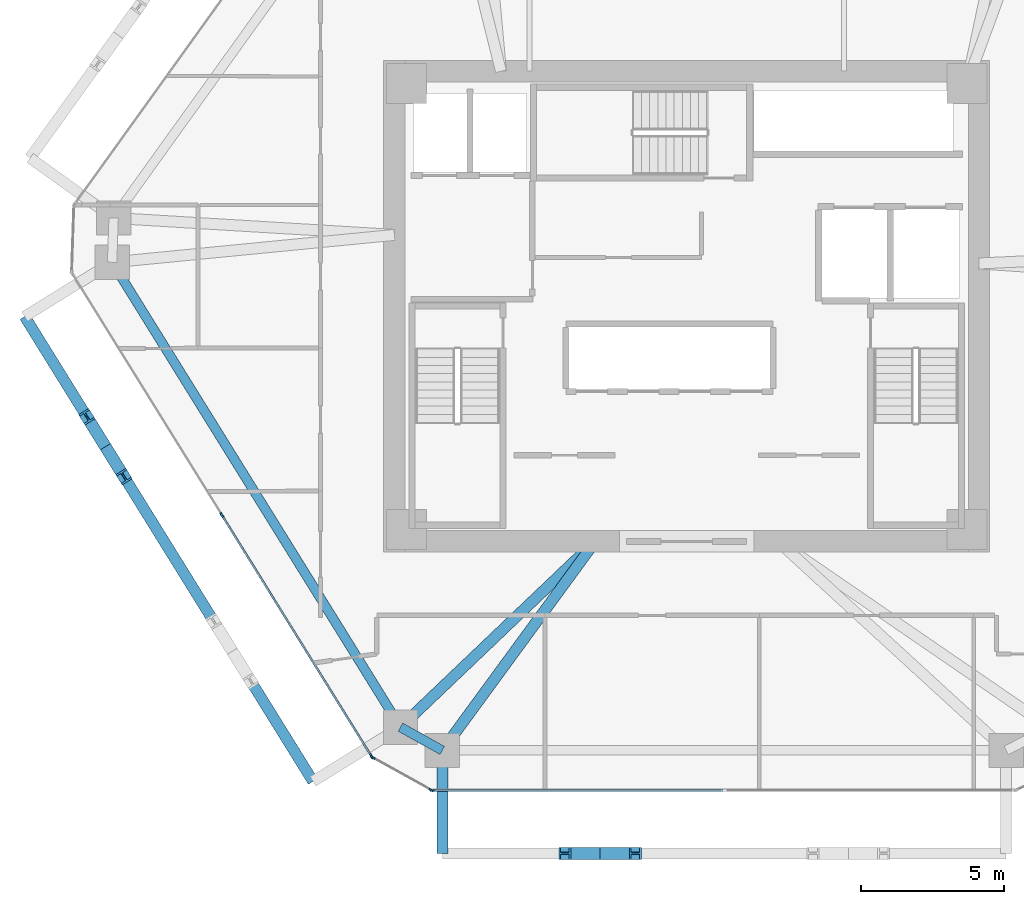
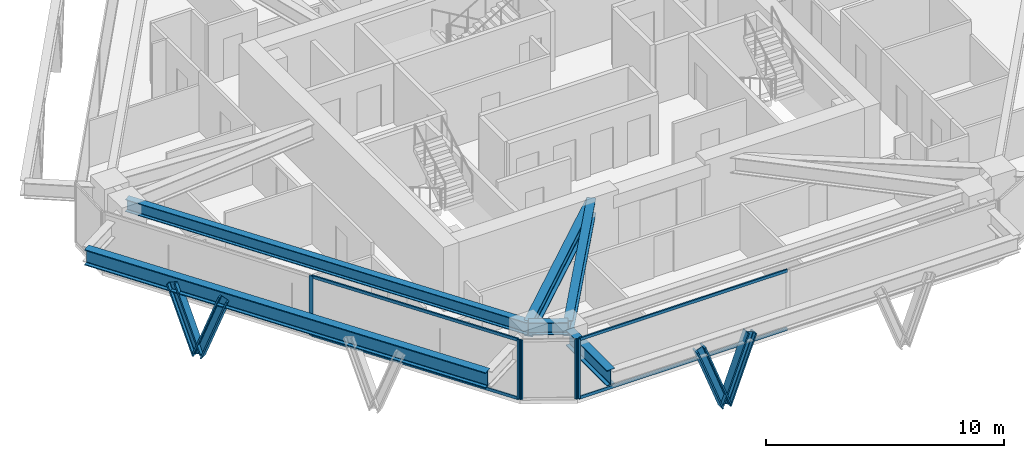
# One storey, part 2 of 14: 13 members, 6 beams, 3 elements without a shape of their own.
"""IFC4 building model written with IfcOpenShell, lengths in metres."""

from ifc_helpers import new_model, si_unit, direction, frame, origin, origin_2d, place, context, subcontext, project, spatial, rectangle, i_section, extrude, source, transform, mapped, material, layer, layer_set, material_profile, profile_set, type_object, type_shapes, element, aggregate, save


model = new_model("IFC4")

# Units and contexts
model_context = context("Model", 3, precision=1e-05, world=origin(), true_north=direction((0.0, 1.0)))
body_context = subcontext(model_context, "Body", "Model", "MODEL_VIEW")
ifc_project = project(units=[si_unit("LENGTHUNIT", "METRE"), si_unit("AREAUNIT", "SQUARE_METRE"), si_unit("VOLUMEUNIT", "CUBIC_METRE"), si_unit("PLANEANGLEUNIT", "RADIAN"), si_unit("MASSUNIT", "GRAM", prefix="KILO")], contexts=[model_context])

# Site, building, storey
site_placement = place(None, origin())
site = spatial("IfcSite", under=ifc_project, at=site_placement, CompositionType="ELEMENT")
building_placement = place(site_placement, origin())
building = spatial("IfcBuilding", under=site, at=building_placement, Name="Durnholm Broadcast Tower", CompositionType="ELEMENT")
storey_placement = place(building_placement, frame((0.0, 0.0, 127.199951171875)))
storey = spatial("IfcBuildingStorey", under=building, at=storey_placement, Name="L34", CompositionType="ELEMENT", Elevation=127.199951171875)

# Beams
ifc_material_1 = material(Name="Steel ASTM A992 Grade 50", Category="steel")
ifc_material_profile_1 = material_profile(ifc_material_1, i_section(OverallWidth=0.385009765625, OverallDepth=0.802978515625, WebThickness=0.023681640625, FlangeThickness=0.0419921875, FilletRadius=0.032958984375, at=origin_2d()), Name="W30X261")
ifc_profile_set_1 = profile_set([ifc_material_profile_1], Name="Steel ASTM A992 Grade 50")
beam_type_1 = type_object("IfcBeamType", Name="BM-EXO-TIE", PredefinedType="USERDEFINED", material=ifc_profile_set_1)
shared_shape_1 = source(origin(), body_context, "Body", "SweptSolid", [
    extrude(i_section(OverallWidth=0.385009765625, OverallDepth=0.802978515625, WebThickness=0.023681640625, FlangeThickness=0.0419921875, FilletRadius=0.032958984375, at=origin_2d()), origin(), (0.0, 0.0, 1.0), 3.4560546875),
])
beam_1_placement = place(storey_placement, frame((-8.552001953125, -15.680908203125, 2.30859375), z_axis=(0.0, -1.0, 0.0), x_axis=(1.0, 0.0, 0.0)))
element("IfcBeam", 1, at=beam_1_placement, inside=storey, type_object=beam_type_1, Name="L34 exoskeleton stand-off tie bracket F1.1", ObjectType="GIRDER", PredefinedType="USERDEFINED", context=body_context, shape_type="MappedRepresentation", body=[
    mapped(shared_shape_1, transform((0.0, 0.0, 0.0), x_axis=(1.0, 0.0, 0.0), y_axis=(0.0, 1.0, 0.0), z_axis=(0.0, 0.0, 1.0), scale=1.0)),
])
ifc_material_profile_2 = material_profile(ifc_material_1, i_section(OverallWidth=0.3291015625, OverallDepth=0.635009765625, WebThickness=0.017822265625, FlangeThickness=0.031005859375, FilletRadius=0.02783203125, at=origin_2d()), Name="W24X162")
ifc_profile_set_2 = profile_set([ifc_material_profile_2], Name="Steel ASTM A992 Grade 50")
beam_type_2 = type_object("IfcBeamType", Name="STL-SP-W24X162", PredefinedType="SPANDREL", material=ifc_profile_set_2)
shared_shape_2 = source(origin(), body_context, "Body", "SweptSolid", [
    extrude(i_section(OverallWidth=0.3291015625, OverallDepth=0.635009765625, WebThickness=0.017822265625, FlangeThickness=0.031005859375, FilletRadius=0.02783203125, at=origin_2d()), origin(), (0.0, 0.0, 1.0), 19.1396484375),
])
beam_2_placement = place(storey_placement, frame((-10.01416015625, -14.723388671875, 2.7275390625), z_axis=(-0.527105324954, 0.849799962582, 0.0), x_axis=(-0.849799962582, -0.527105324954, 0.0)))
element("IfcBeam", 2, at=beam_2_placement, inside=storey, type_object=beam_type_2, Name="L34 perimeter spandrel girder 01", PredefinedType="SPANDREL", context=body_context, shape_type="MappedRepresentation", body=[
    mapped(shared_shape_2, transform((0.0, 0.0, 0.0), x_axis=(1.0, 0.0, 0.0), y_axis=(0.0, 1.0, 0.0), z_axis=(0.0, 0.0, 1.0), scale=1.0)),
])
shared_shape_3 = source(origin(), body_context, "Body", "SweptSolid", [
    extrude(i_section(OverallWidth=0.3291015625, OverallDepth=0.635009765625, WebThickness=0.017822265625, FlangeThickness=0.031005859375, FilletRadius=0.02783203125, at=origin_2d()), origin(), (0.0, 0.0, 1.0), 1.67333984375),
])
type_shapes(beam_type_2, [shared_shape_2, shared_shape_3])
beam_3_placement = place(storey_placement, frame((-8.552001953125, -15.537109375, 2.7275390625), z_axis=(-0.873799169188, 0.486286964586, 0.0), x_axis=(-0.486286964586, -0.873799169188, 0.0)))
element("IfcBeam", 3, at=beam_3_placement, inside=storey, type_object=beam_type_2, Name="L34 perimeter spandrel girder 12", PredefinedType="SPANDREL", context=body_context, shape_type="MappedRepresentation", body=[
    mapped(shared_shape_3, transform((0.0, 0.0, 0.0), x_axis=(1.0, 0.0, 0.0), y_axis=(0.0, 1.0, 0.0), z_axis=(0.0, 0.0, 1.0), scale=1.0)),
])
ifc_material_profile_3 = material_profile(ifc_material_1, i_section(OverallWidth=0.385009765625, OverallDepth=0.802978515625, WebThickness=0.023681640625, FlangeThickness=0.0419921875, FilletRadius=0.032958984375, at=origin_2d()), Name="W30X261")
ifc_profile_set_3 = profile_set([ifc_material_profile_3], Name="Steel ASTM A992 Grade 50")
beam_type_3 = type_object("IfcBeamType", Name="STL-GR-W30X261", PredefinedType="USERDEFINED", material=ifc_profile_set_3)
shared_shape_4 = source(origin(), body_context, "Body", "SweptSolid", [
    extrude(i_section(OverallWidth=0.385009765625, OverallDepth=0.802978515625, WebThickness=0.023681640625, FlangeThickness=0.0419921875, FilletRadius=0.032958984375, at=origin_2d()), origin(), (0.0, 0.0, 1.0), 9.416015625),
])
beam_4_placement = place(storey_placement, frame((-3.199951171875, -8.22509765625, 2.6435546875), z_axis=(-0.723683335801, -0.690132182617, 0.0), x_axis=(0.690132182617, -0.723683335801, 0.0)))
element("IfcBeam", 4, at=beam_4_placement, inside=storey, type_object=beam_type_3, Name="L34 radial primary floor girder 01", ObjectType="GIRDER", PredefinedType="USERDEFINED", context=body_context, shape_type="MappedRepresentation", body=[
    mapped(shared_shape_4, transform((0.0, 0.0, 0.0), x_axis=(1.0, 0.0, 0.0), y_axis=(0.0, 1.0, 0.0), z_axis=(0.0, 0.0, 1.0), scale=1.0)),
])
shared_shape_5 = source(origin(), body_context, "Body", "SweptSolid", [
    extrude(i_section(OverallWidth=0.385009765625, OverallDepth=0.802978515625, WebThickness=0.023681640625, FlangeThickness=0.0419921875, FilletRadius=0.032958984375, at=origin_2d()), origin(), (0.0, 0.0, 1.0), 9.0615234375),
])
type_shapes(beam_type_3, [shared_shape_4, shared_shape_5])
beam_5_placement = place(storey_placement, frame((-3.199951171875, -8.22509765625, 2.6435546875), z_axis=(-0.590639241086, -0.806935739008, 0.0), x_axis=(0.806935739008, -0.590639241086, 0.0)))
element("IfcBeam", 5, at=beam_5_placement, inside=storey, type_object=beam_type_3, Name="L34 radial primary floor girder 12", ObjectType="GIRDER", PredefinedType="USERDEFINED", context=body_context, shape_type="MappedRepresentation", body=[
    mapped(shared_shape_5, transform((0.0, 0.0, 0.0), x_axis=(1.0, 0.0, 0.0), y_axis=(0.0, 1.0, 0.0), z_axis=(0.0, 0.0, 1.0), scale=1.0)),
])
shared_shape_6 = source(origin(), body_context, "Body", "SweptSolid", [
    extrude(i_section(OverallWidth=0.385009765625, OverallDepth=0.802978515625, WebThickness=0.023681640625, FlangeThickness=0.0419921875, FilletRadius=0.032958984375, at=origin_2d()), origin(), (0.0, 0.0, 1.0), 19.139404296875),
])
type_shapes(beam_type_1, [shared_shape_1, shared_shape_6])
beam_6_placement = place(storey_placement, frame((-23.162109375, -0.356201171875, 2.30859375), z_axis=(0.527111038734, -0.84979641847, 0.0), x_axis=(0.84979641847, 0.527111038734, 0.0)))
element("IfcBeam", 6, at=beam_6_placement, inside=storey, type_object=beam_type_1, Name="L34 exoskeleton collector spandrel F6", PredefinedType="SPANDREL", context=body_context, shape_type="MappedRepresentation", body=[
    mapped(shared_shape_6, transform((0.0, 0.0, 0.0), x_axis=(1.0, 0.0, 0.0), y_axis=(0.0, 1.0, 0.0), z_axis=(0.0, 0.0, 1.0), scale=1.0)),
])

# Members
ifc_material_2 = material(Name="Steel ASTM A913 Grade 65", Category="steel")
ifc_material_profile_4 = material_profile(ifc_material_2, i_section(OverallWidth=0.41845703125, OverallDepth=0.455078125, WebThickness=0.0419921875, FlangeThickness=0.067626953125, FilletRadius=0.030517578125, at=origin_2d()), Name="W14X370")
ifc_profile_set_4 = profile_set([ifc_material_profile_4], Name="Steel ASTM A913 Grade 65")
member_type_1 = type_object("IfcMemberType", Name="STL-DG-W14X370", PredefinedType="BRACE", material=ifc_profile_set_4)
shared_shape_7 = source(origin(), body_context, "Body", "SweptSolid", [
    extrude(i_section(OverallWidth=0.41845703125, OverallDepth=0.455078125, WebThickness=0.0419921875, FlangeThickness=0.067626953125, FilletRadius=0.030517578125, at=origin_2d()), origin(), (0.0, 0.0, 1.0), 3.523193359375),
])
type_shapes(member_type_1, [shared_shape_7])
for number, where, z_axis, x_axis, name in (
    (7, (-3.028076171875, -19.136962890625, -0.991455078125), (-0.350219588454, 0.0, 0.936667625075), (0.0, -1.0, 0.0), "L34 stand-off diagrid brace F1.D1.1"),
    (8, (-3.028076171875, -19.136962890625, -0.991455078125), (0.350219588454, 0.0, 0.936667625075), (0.0, 1.0, 0.0), "L34 stand-off diagrid brace F1.D1.2"),
    (9, (-20.337158203125, -4.910400390625, -0.991455078125), (-0.184602835855, 0.297623566065, 0.936665364961), (-0.849805205368, -0.527096872433, 0.0), "L34 stand-off diagrid brace F6.D1.1"),
    (10, (-20.337158203125, -4.910400390625, -0.991455078125), (0.184606642766, -0.297560406921, 0.936684681032), (0.849750220063, 0.527185511469, 0.0), "L34 stand-off diagrid brace F6.D1.2"),
):
    element("IfcMember", number, at=place(storey_placement, frame(where, z_axis=z_axis, x_axis=x_axis)), inside=storey, type_object=member_type_1, Name=name, PredefinedType="BRACE", context=body_context, shape_type="MappedRepresentation", body=[
        mapped(shared_shape_7, transform((0.0, 0.0, 0.0), x_axis=(1.0, 0.0, 0.0), y_axis=(0.0, 1.0, 0.0), z_axis=(0.0, 0.0, 1.0), scale=1.0)),
    ])

# Curtain wall, members
ifc_material_3 = material(Name="Aluminium and Solar Control IGU", Category="aluminium")
ifc_layer_1 = layer(ifc_material_3, 0.1650390625)
ifc_layer_set_1 = layer_set([ifc_layer_1], Name="Aluminium and Solar Control IGU")
curtain_wall_type_1 = type_object("IfcCurtainWallType", Name="CW-SYS-5", PredefinedType="NOTDEFINED", material=ifc_layer_set_1)
curtain_wall_1_placement = place(storey_placement, origin())
curtain_wall_1 = element("IfcCurtainWall", 11, at=curtain_wall_1_placement, inside=storey, type_object=curtain_wall_type_1, Name="L34 curtain wall CW-CORNER CW-L34-CRN-11", PredefinedType="NOTDEFINED")
ifc_material_4 = material(Name="Aluminium 6063-T6", Category="aluminium")
ifc_material_profile_5 = material_profile(ifc_material_4, rectangle(XDim=0.06494140625, YDim=0.1650390625, at=origin_2d()), Name="CWM65X165")
ifc_profile_set_5 = profile_set([ifc_material_profile_5], Name="Aluminium 6063-T6")
member_type_2 = type_object("IfcMemberType", Name="CW-SYS-5-MUL", PredefinedType="MULLION", material=ifc_profile_set_5)
shared_shape_8 = source(origin(), body_context, "Body", "SweptSolid", [
    extrude(rectangle(XDim=0.06494140625, YDim=0.1650390625, at=origin_2d()), origin(), (0.0, 0.0, 1.0), 3.06005859375),
])
type_shapes(member_type_2, [shared_shape_8])
member_1_placement = place(storey_placement, frame((-8.943603515625, -16.921142578125, 0.0), z_axis=(0.0, 0.0, 1.0), x_axis=(-0.486244224192, -0.873822953715, 0.0)))
member_1 = element("IfcMember", 12, at=member_1_placement, type_object=member_type_2, Name="CW-CORNER mullion 1", PredefinedType="MULLION", context=body_context, shape_type="MappedRepresentation", body=[
    mapped(shared_shape_8, transform((0.0, 0.0, 0.0), x_axis=(1.0, 0.0, 0.0), y_axis=(0.0, 1.0, 0.0), z_axis=(0.0, 0.0, 1.0), scale=1.0)),
])
member_2_placement = place(storey_placement, frame((-10.98388671875, -15.785888671875, 0.0), z_axis=(0.0, 0.0, 1.0), x_axis=(-0.486244224192, -0.873822953715, 0.0)))
member_2 = element("IfcMember", 13, at=member_2_placement, type_object=member_type_2, Name="CW-CORNER mullion 2", PredefinedType="MULLION", context=body_context, shape_type="MappedRepresentation", body=[
    mapped(shared_shape_8, transform((0.0, 0.0, 0.0), x_axis=(1.0, 0.0, 0.0), y_axis=(0.0, 1.0, 0.0), z_axis=(0.0, 0.0, 1.0), scale=1.0)),
])
aggregate(curtain_wall_1, [member_1, member_2])

# Curtain wall, member
ifc_layer_2 = layer(ifc_material_3, 0.18994140625)
ifc_layer_set_2 = layer_set([ifc_layer_2], Name="Aluminium and Solar Control IGU")
curtain_wall_type_2 = type_object("IfcCurtainWallType", Name="CW-SYS-3", PredefinedType="NOTDEFINED", material=ifc_layer_set_2)
curtain_wall_2_placement = place(storey_placement, origin())
curtain_wall_2 = element("IfcCurtainWall", 14, at=curtain_wall_2_placement, inside=storey, type_object=curtain_wall_type_2, Name="L34 curtain wall CW-Z12-VIS CW-L34-F10", PredefinedType="NOTDEFINED")
ifc_material_profile_6 = material_profile(ifc_material_4, rectangle(XDim=0.070068359375, YDim=0.18994140625, at=origin_2d()), Name="CWM70X190")
ifc_profile_set_6 = profile_set([ifc_material_profile_6], Name="Aluminium 6063-T6")
member_type_3 = type_object("IfcMemberType", Name="CW-SYS-3-MUL", PredefinedType="MULLION", material=ifc_profile_set_6)
shared_shape_9 = source(origin(), body_context, "Body", "SweptSolid", [
    extrude(rectangle(XDim=0.070068359375, YDim=0.18994140625, at=origin_2d()), origin(), (0.0, 0.0, 1.0), 3.06005859375),
])
type_shapes(member_type_3, [shared_shape_9])
member_3_placement = place(storey_placement, frame((-8.880126953125, -16.93701171875, 0.0), z_axis=(0.0, 0.0, 1.0), x_axis=(0.0, -1.0, 0.0)))
member_3 = element("IfcMember", 15, at=member_3_placement, type_object=member_type_3, Name="CW-Z12-VIS mullion 3", PredefinedType="MULLION", context=body_context, shape_type="MappedRepresentation", body=[
    mapped(shared_shape_9, transform((0.0, 0.0, 0.0), x_axis=(1.0, 0.0, 0.0), y_axis=(0.0, 1.0, 0.0), z_axis=(0.0, 0.0, 1.0), scale=1.0)),
])

# Curtain wall, members
curtain_wall_3_placement = place(storey_placement, origin())
curtain_wall_3 = element("IfcCurtainWall", 16, at=curtain_wall_3_placement, inside=storey, type_object=curtain_wall_type_2, Name="L34 curtain wall CW-Z12-VIS CW-L34-F12", PredefinedType="NOTDEFINED")
member_4_placement = place(storey_placement, frame((-11.03076171875, -15.740234375, 0.0), z_axis=(0.0, 0.0, 1.0), x_axis=(-0.849799925229, -0.527105385176, 0.0)))
member_4 = element("IfcMember", 17, at=member_4_placement, type_object=member_type_3, Name="CW-Z12-VIS mullion 1", PredefinedType="MULLION", context=body_context, shape_type="MappedRepresentation", body=[
    mapped(shared_shape_9, transform((0.0, 0.0, 0.0), x_axis=(1.0, 0.0, 0.0), y_axis=(0.0, 1.0, 0.0), z_axis=(0.0, 0.0, 1.0), scale=1.0)),
])
member_5_placement = place(storey_placement, frame((-16.264404296875, -7.302734375, 0.0), z_axis=(0.0, 0.0, 1.0), x_axis=(-0.849799925229, -0.527105385176, 0.0)))
member_5 = element("IfcMember", 18, at=member_5_placement, type_object=member_type_3, Name="CW-Z12-VIS mullion 2", PredefinedType="MULLION", context=body_context, shape_type="MappedRepresentation", body=[
    mapped(shared_shape_9, transform((0.0, 0.0, 0.0), x_axis=(1.0, 0.0, 0.0), y_axis=(0.0, 1.0, 0.0), z_axis=(0.0, 0.0, 1.0), scale=1.0)),
])

# Member
ifc_material_profile_7 = material_profile(ifc_material_4, rectangle(XDim=0.070068359375, YDim=0.14990234375, at=origin_2d()), Name="CWT70X150")
ifc_profile_set_7 = profile_set([ifc_material_profile_7], Name="Aluminium 6063-T6")
member_type_4 = type_object("IfcMemberType", Name="CW-SYS-3-TRN", PredefinedType="USERDEFINED", material=ifc_profile_set_7)
shared_shape_10 = source(origin(), body_context, "Body", "SweptSolid", [
    extrude(rectangle(XDim=0.070068359375, YDim=0.14990234375, at=origin_2d()), origin(), (0.0, 0.0, 1.0), 10.109619140625),
])
member_6_placement = place(storey_placement, frame((1.264404296875, -16.93701171875, 0.03515625), z_axis=(-1.0, 0.0, 0.0), x_axis=(0.0, -1.0, 0.0)))
member_6 = element("IfcMember", 19, at=member_6_placement, type_object=member_type_4, Name="CW-Z12-VIS transom 2.1", ObjectType="TRANSOM", PredefinedType="USERDEFINED", context=body_context, shape_type="MappedRepresentation", body=[
    mapped(shared_shape_10, transform((0.0, 0.0, 0.0), x_axis=(1.0, 0.0, 0.0), y_axis=(0.0, 1.0, 0.0), z_axis=(0.0, 0.0, 1.0), scale=1.0)),
])

member_7_placement = place(storey_placement, frame((1.264404296875, -16.93701171875, 3.025146484375), z_axis=(-1.0, 0.0, 0.0), x_axis=(0.0, -1.0, 0.0)))
member_7 = element("IfcMember", 20, at=member_7_placement, type_object=member_type_4, Name="CW-Z12-VIS transom 2.2", ObjectType="TRANSOM", PredefinedType="USERDEFINED", context=body_context, shape_type="MappedRepresentation", body=[
    mapped(shared_shape_10, transform((0.0, 0.0, 0.0), x_axis=(1.0, 0.0, 0.0), y_axis=(0.0, 1.0, 0.0), z_axis=(0.0, 0.0, 1.0), scale=1.0)),
])

aggregate(curtain_wall_2, [member_3, member_6, member_7])

shared_shape_11 = source(origin(), body_context, "Body", "SweptSolid", [
    extrude(rectangle(XDim=0.070068359375, YDim=0.14990234375, at=origin_2d()), origin(), (0.0, 0.0, 1.0), 9.858642578125),
])
type_shapes(member_type_4, [shared_shape_10, shared_shape_11])
member_8_placement = place(storey_placement, frame((-11.04931640625, -15.71044921875, 0.03515625), z_axis=(-0.527102081419, 0.849801974441, 0.0), x_axis=(-0.849801974441, -0.527102081419, 0.0)))
member_8 = element("IfcMember", 21, at=member_8_placement, type_object=member_type_4, Name="CW-Z12-VIS transom 1.1", ObjectType="TRANSOM", PredefinedType="USERDEFINED", context=body_context, shape_type="MappedRepresentation", body=[
    mapped(shared_shape_11, transform((0.0, 0.0, 0.0), x_axis=(1.0, 0.0, 0.0), y_axis=(0.0, 1.0, 0.0), z_axis=(0.0, 0.0, 1.0), scale=1.0)),
])

member_9_placement = place(storey_placement, frame((-11.04931640625, -15.71044921875, 3.025146484375), z_axis=(-0.527102081419, 0.849801974441, 0.0), x_axis=(-0.849801974441, -0.527102081419, 0.0)))
member_9 = element("IfcMember", 22, at=member_9_placement, type_object=member_type_4, Name="CW-Z12-VIS transom 1.2", ObjectType="TRANSOM", PredefinedType="USERDEFINED", context=body_context, shape_type="MappedRepresentation", body=[
    mapped(shared_shape_11, transform((0.0, 0.0, 0.0), x_axis=(1.0, 0.0, 0.0), y_axis=(0.0, 1.0, 0.0), z_axis=(0.0, 0.0, 1.0), scale=1.0)),
])

aggregate(curtain_wall_3, [member_4, member_5, member_8, member_9])

save(model, "model.ifc")
